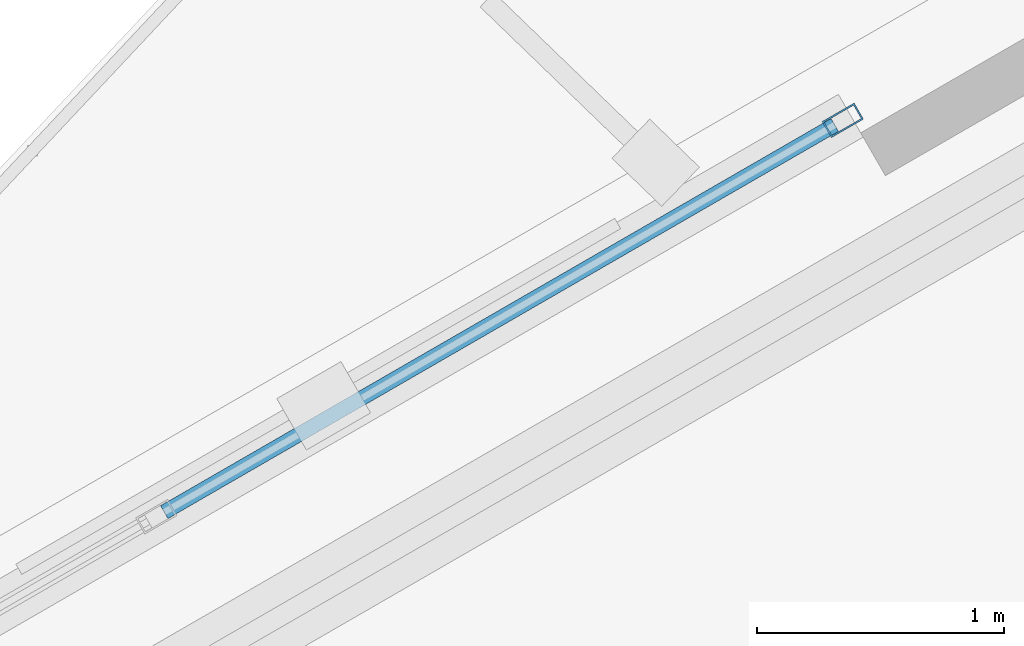
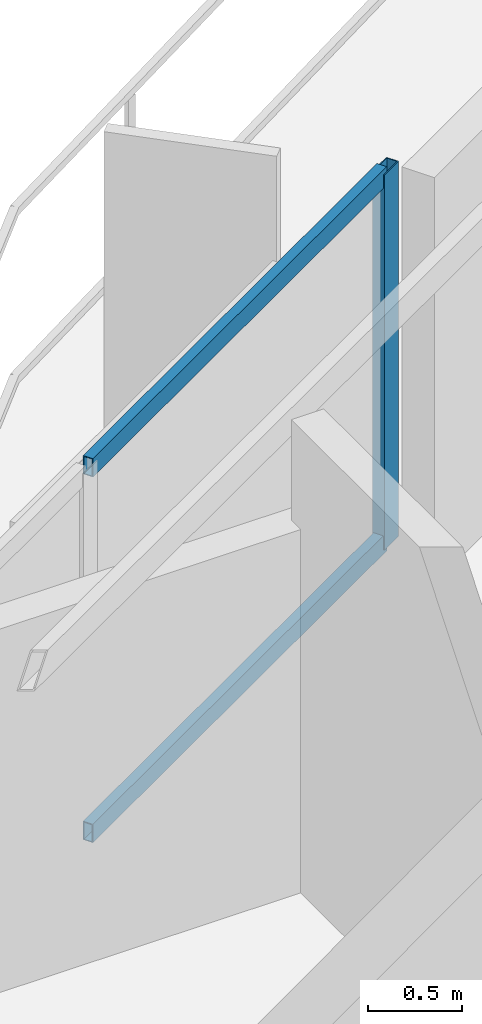
# One storey, part 15 of 22: 3 members, 1 element without a shape of its own.
"""IFC4 building model written with IfcOpenShell, lengths in metres."""

from ifc_helpers import new_model, si_unit, direction, frame, origin, origin_2d, place, context, subcontext, project, spatial, hollow_rectangle, extrude, material, layer, layer_set, material_profile, profile_set, type_object, element, aggregate, save


model = new_model("IFC4")

# Units and contexts
model_context = context("Model", 3, precision=1e-05, world=origin(), true_north=direction((0.0, 1.0)))
body_context = subcontext(model_context, "Body", "Model", "MODEL_VIEW")
ifc_project = project(units=[si_unit("LENGTHUNIT", "METRE"), si_unit("AREAUNIT", "SQUARE_METRE"), si_unit("VOLUMEUNIT", "CUBIC_METRE"), si_unit("PLANEANGLEUNIT", "RADIAN"), si_unit("MASSUNIT", "GRAM", prefix="KILO")], contexts=[model_context])

# Site, building, storey
site_placement = place(None, origin())
site = spatial("IfcSite", under=ifc_project, at=site_placement, CompositionType="ELEMENT")
building_placement = place(site_placement, origin())
building = spatial("IfcBuilding", under=site, at=building_placement, Name="Mersakhor Tower and Convention Hall", CompositionType="ELEMENT")
storey_placement = place(building_placement, frame((0.0, 0.0, 167.39990234375)))
storey = spatial("IfcBuildingStorey", under=building, at=storey_placement, Name="L46", CompositionType="ELEMENT", Elevation=167.39990234375)

# Curtain wall, members
ifc_material_1 = material(Name="Dark solar low-E aluminium curtain wall", Category="aluminium")
ifc_layer = layer(ifc_material_1, 0.169921875)
ifc_layer_set = layer_set([ifc_layer], Name="Dark solar low-E aluminium curtain wall")
curtain_wall_type = type_object("IfcCurtainWallType", Name="CW-SYS-02", PredefinedType="USERDEFINED", material=ifc_layer_set)
curtain_wall_placement = place(storey_placement, origin())
curtain_wall = element("IfcCurtainWall", 1, at=curtain_wall_placement, inside=storey, type_object=curtain_wall_type, Name="L46 Dark-Glass Curtain Wall F1-B2", ObjectType="CURTAIN WALL", PredefinedType="USERDEFINED")
ifc_material_2 = material(Name="Anodised aluminium EN AW-6063 T6", Category="aluminium")
ifc_material_profile_1 = material_profile(ifc_material_2, hollow_rectangle(XDim=0.074951171875, YDim=0.14990234375, WallThickness=0.00634765625, at=origin_2d()), Name="RHS 150x75x6.3")
ifc_profile_set_1 = profile_set([ifc_material_profile_1], Name="Anodised aluminium EN AW-6063 T6")
member_type_1 = type_object("IfcMemberType", Name="CWM-150x75", PredefinedType="MULLION", material=ifc_profile_set_1)
member_1_placement = place(storey_placement, frame((26.984130859375, 39.908935546875, 0.2001953125), z_axis=(0.0, 0.0, 1.0), x_axis=(-0.499998484116, 0.866026278978, 0.0)))
member_1 = element("IfcMember", 2, at=member_1_placement, type_object=member_type_1, Name="CW-02 mullion 4", PredefinedType="MULLION", context=body_context, shape_type="SweptSolid", body=[
    extrude(hollow_rectangle(XDim=0.074951171875, YDim=0.14990234375, WallThickness=0.00634765625, at=origin_2d()), origin(), (0.0, 0.0, 1.0), 2.43994140625),
])
ifc_material_3 = material(Name="Anodised aluminium EN AW-6063 T6", Category="aluminium")
ifc_material_profile_2 = material_profile(ifc_material_3, hollow_rectangle(XDim=0.06005859375, YDim=0.1201171875, WallThickness=0.0048828125, at=origin_2d()), Name="RHS 120x60x5")
ifc_profile_set_2 = profile_set([ifc_material_profile_2], Name="Anodised aluminium EN AW-6063 T6")
member_type_2 = type_object("IfcMemberType", Name="CWT-120x60", PredefinedType="USERDEFINED", material=ifc_profile_set_2)
member_2_placement = place(storey_placement, frame((24.23681640625, 38.322509765625, 0.22998046875), z_axis=(0.865996232657, 0.500050522472, 0.0), x_axis=(-0.500050522472, 0.865996232657, 0.0)))
member_2 = element("IfcMember", 3, at=member_2_placement, type_object=member_type_2, Name="CW-02 transom 3.1", ObjectType="TRANSOM", PredefinedType="USERDEFINED", context=body_context, shape_type="SweptSolid", body=[
    extrude(hollow_rectangle(XDim=0.06005859375, YDim=0.1201171875, WallThickness=0.0048828125, at=origin_2d()), origin(), (0.0, 0.0, 1.0), 3.135009765625),
])
member_3_placement = place(storey_placement, frame((24.23681640625, 38.322509765625, 2.610107421875), z_axis=(0.865996232657, 0.500050522472, 0.0), x_axis=(-0.500050522472, 0.865996232657, 0.0)))
member_3 = element("IfcMember", 4, at=member_3_placement, type_object=member_type_2, Name="CW-02 transom 3.2", ObjectType="TRANSOM", PredefinedType="USERDEFINED", context=body_context, shape_type="SweptSolid", body=[
    extrude(hollow_rectangle(XDim=0.06005859375, YDim=0.1201171875, WallThickness=0.0048828125, at=origin_2d()), origin(), (0.0, 0.0, 1.0), 3.135009765625),
])
aggregate(curtain_wall, [member_1, member_2, member_3])

save(model, "model.ifc")
